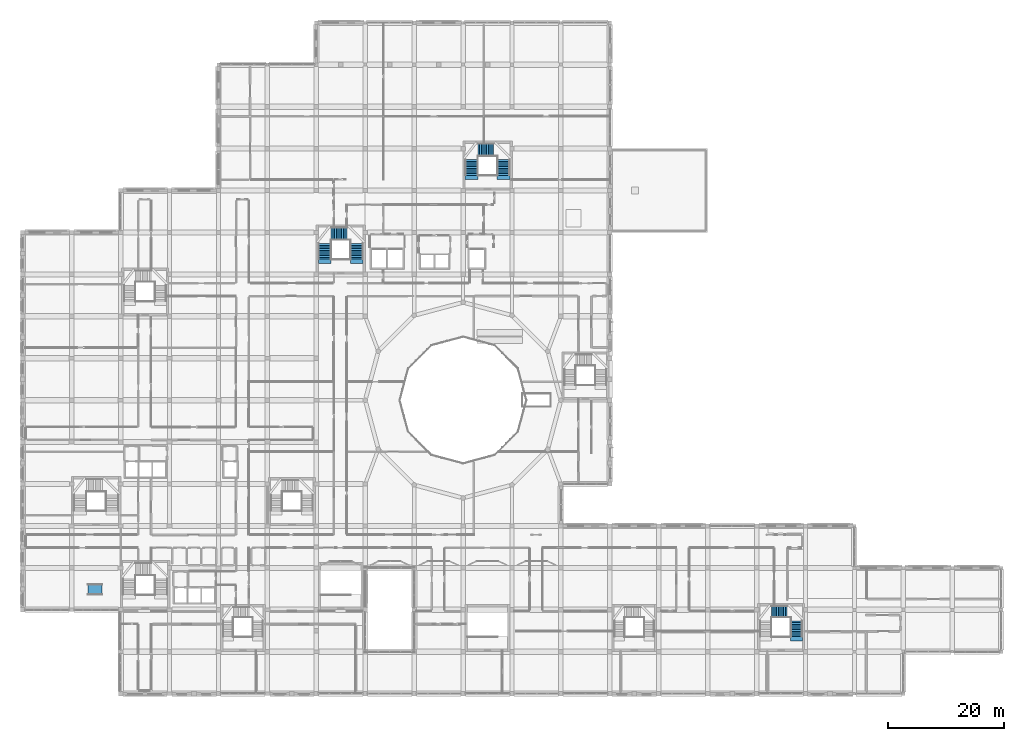
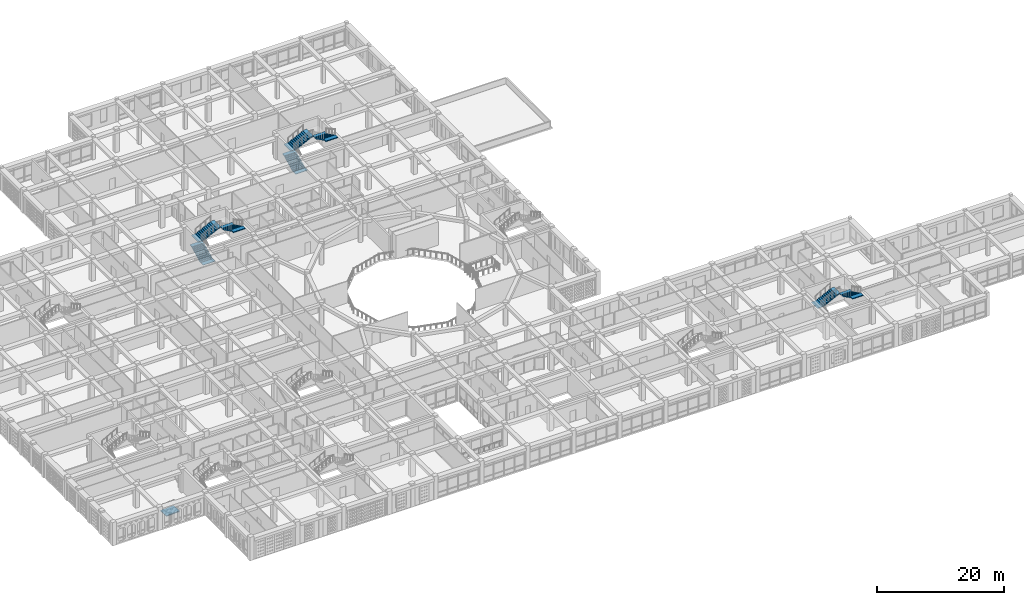
# One storey, part 89 of 121: 8 stair flights, 1 ramp flight, 4 elements without a shape of their own.
"""IFC4 building model written with IfcOpenShell, lengths in metres."""

from ifc_helpers import new_model, si_unit, derived_unit, direction, frame, origin, place, context, subcontext, project, spatial, polyline, outline, extrude, material, layer, layer_set, type_object, element, aggregate, save


model = new_model("IFC4")

# Units and contexts
model_context = context("Model", 3, precision=1e-05, world=origin(), true_north=direction((0.0, 1.0)))
body_context = subcontext(model_context, "Body", "Model", "MODEL_VIEW")
ifc_project = project(units=[si_unit("LENGTHUNIT", "METRE"), si_unit("AREAUNIT", "SQUARE_METRE"), si_unit("VOLUMEUNIT", "CUBIC_METRE"), si_unit("PLANEANGLEUNIT", "RADIAN"), si_unit("MASSUNIT", "GRAM", prefix="KILO"), derived_unit("THERMALTRANSMITTANCEUNIT", [(si_unit("POWERUNIT", "WATT"), 1), (si_unit("LENGTHUNIT", "METRE"), -2), (si_unit("THERMODYNAMICTEMPERATUREUNIT", "KELVIN"), -1)])], contexts=[model_context])

# Site, building, storey
site_placement = place(None, origin())
site = spatial("IfcSite", under=ifc_project, at=site_placement, CompositionType="ELEMENT")
building_placement = place(site_placement, origin())
building = spatial("IfcBuilding", under=site, at=building_placement, Name="Veybourne Emporium", CompositionType="ELEMENT")
storey_placement = place(building_placement, frame((0.0, 0.0, 5.39990234375)))
storey = spatial("IfcBuildingStorey", under=building, at=storey_placement, Name="L01", CompositionType="ELEMENT", Elevation=5.39990234375)

# Stair, stair flights
ifc_material = material(Name="Concrete C32/40", Category="concrete")
stair_type_1 = type_object("IfcStairType", Name="Stair_ST-06-R30", PredefinedType="TWO_QUARTER_TURN_STAIR", material=ifc_material)
stair_1_placement = place(storey_placement, origin())
stair_1 = element("IfcStair", 1, at=stair_1_placement, inside=storey, type_object=stair_type_1, Name="L01 stair ST-06", PredefinedType="TWO_QUARTER_TURN_STAIR")
stair_flight_type_1 = type_object("IfcStairFlightType", Name="Flight_FL-2000-R10", PredefinedType="STRAIGHT", material=ifc_material)
stair_flight_1_placement = place(storey_placement, frame((128.550048828125, 14.10009765625, 1.5), z_axis=(0.0, 0.0, 1.0), x_axis=(1.0, 0.0, 0.0)))
stair_flight_1 = element("IfcStairFlight", 2, at=stair_flight_1_placement, type_object=stair_flight_type_1, Name="ST-06-R30 flight 2", NumberOfRisers=10, NumberOfTreads=9, PredefinedType="STRAIGHT", RiserHeight=0.15, TreadLength=0.3, context=body_context, shape_type="SweptSolid", body=[
    extrude(outline(polyline([(-0.75, 0.0), (-0.75, 0.080078125), (-0.375, 0.080078125), (0.0, 0.080078125), (0.0, 0.14990234375), (0.300048828125, 0.14990234375), (0.300048828125, 0.300048828125), (0.60009765625, 0.300048828125), (0.60009765625, 0.449951171875), (0.89990234375, 0.449951171875), (0.89990234375, 0.60009765625), (1.199951171875, 0.60009765625), (1.199951171875, 0.75), (1.5, 0.75), (1.5, 0.89990234375), (1.800048828125, 0.89990234375), (1.800048828125, 1.050048828125), (2.10009765625, 1.050048828125), (2.10009765625, 1.199951171875), (2.39990234375, 1.199951171875), (2.39990234375, 1.35009765625), (2.699951171875, 1.35009765625), (2.699951171875, 1.5), (3.074951171875, 1.5), (3.449951171875, 1.5), (3.449951171875, 1.340087890625), (3.074951171875, 1.340087890625), (2.699951171875, 1.171142578125), (0.357666015625, 0.0), (-0.75, 0.0)])), frame((0.0, 1.0, 0.0), z_axis=(0.0, -1.0, 0.0), x_axis=(1.0, 0.0, 0.0)), (0.0, 0.0, 1.0), 2.0),
])
stair_flight_2_placement = place(storey_placement, frame((132.85009765625, 12.5, 3.0), z_axis=(0.0, 0.0, 1.0), x_axis=(0.0, -1.0, 0.0)))
stair_flight_2 = element("IfcStairFlight", 3, at=stair_flight_2_placement, type_object=stair_flight_type_1, Name="ST-06-R30 flight 3", NumberOfRisers=10, NumberOfTreads=9, PredefinedType="STRAIGHT", RiserHeight=0.15, TreadLength=0.3, context=body_context, shape_type="SweptSolid", body=[
    extrude(outline(polyline([(-0.75, 0.0), (-0.75, 0.080078125), (-0.375, 0.080078125), (0.0, 0.080078125), (0.0, 0.14990234375), (0.300048828125, 0.14990234375), (0.300048828125, 0.300048828125), (0.60009765625, 0.300048828125), (0.60009765625, 0.449951171875), (0.89990234375, 0.449951171875), (0.89990234375, 0.60009765625), (1.199951171875, 0.60009765625), (1.199951171875, 0.75), (1.5, 0.75), (1.5, 0.89990234375), (1.800048828125, 0.89990234375), (1.800048828125, 1.050048828125), (2.10009765625, 1.050048828125), (2.10009765625, 1.199951171875), (2.39990234375, 1.199951171875), (2.39990234375, 1.35009765625), (2.699951171875, 1.35009765625), (2.699951171875, 1.5), (3.074951171875, 1.5), (3.449951171875, 1.5), (3.449951171875, 1.340087890625), (3.074951171875, 1.340087890625), (2.699951171875, 1.171142578125), (0.357666015625, 0.0), (-0.75, 0.0)])), frame((0.0, 1.0, 0.0), z_axis=(0.0, -1.0, 0.0), x_axis=(1.0, 0.0, 0.0)), (0.0, 0.0, 1.0), 2.0),
])
aggregate(stair_1, [stair_flight_1, stair_flight_2])

stair_type_2 = type_object("IfcStairType", Name="Stair_ST-03-R30", PredefinedType="TWO_QUARTER_TURN_STAIR", material=ifc_material)
stair_2_placement = place(storey_placement, origin())
stair_2 = element("IfcStair", 4, at=stair_2_placement, inside=storey, type_object=stair_type_2, Name="L01 stair ST-03", PredefinedType="TWO_QUARTER_TURN_STAIR")
stair_flight_type_2 = type_object("IfcStairFlightType", Name="Flight_FL-2200-R10", PredefinedType="STRAIGHT", material=ifc_material)
stair_flight_3_placement = place(storey_placement, frame((51.85009765625, 74.60009765625, 0.0), z_axis=(0.0, 0.0, 1.0), x_axis=(0.0, 1.0, 0.0)))
stair_flight_3 = element("IfcStairFlight", 5, at=stair_flight_3_placement, type_object=stair_flight_type_2, Name="ST-03-R30 flight 1", NumberOfRisers=10, NumberOfTreads=9, PredefinedType="STRAIGHT", RiserHeight=0.15, TreadLength=0.3, context=body_context, shape_type="SweptSolid", body=[
    extrude(outline(polyline([(-0.75, 0.0), (-0.75, 0.080078125), (-0.375, 0.080078125), (0.0, 0.080078125), (0.0, 0.14990234375), (0.300048828125, 0.14990234375), (0.300048828125, 0.300048828125), (0.60009765625, 0.300048828125), (0.60009765625, 0.449951171875), (0.89990234375, 0.449951171875), (0.89990234375, 0.60009765625), (1.199951171875, 0.60009765625), (1.199951171875, 0.75), (1.5, 0.75), (1.5, 0.89990234375), (1.800048828125, 0.89990234375), (1.800048828125, 1.050048828125), (2.10009765625, 1.050048828125), (2.10009765625, 1.199951171875), (2.39990234375, 1.199951171875), (2.39990234375, 1.35009765625), (2.699951171875, 1.35009765625), (2.699951171875, 1.5), (3.074951171875, 1.5), (3.449951171875, 1.5), (3.449951171875, 1.340087890625), (3.074951171875, 1.340087890625), (2.699951171875, 1.171142578125), (0.357666015625, 0.0), (-0.75, 0.0)])), frame((0.0, 1.10009765625, 0.0), z_axis=(0.0, -1.0, 0.0), x_axis=(1.0, 0.0, 0.0)), (0.0, 0.0, 1.0), 2.199951171875),
])
stair_flight_4_placement = place(storey_placement, frame((52.949951171875, 79.0, 1.5), z_axis=(0.0, 0.0, 1.0), x_axis=(1.0, 0.0, 0.0)))
stair_flight_4 = element("IfcStairFlight", 6, at=stair_flight_4_placement, type_object=stair_flight_type_2, Name="ST-03-R30 flight 2", NumberOfRisers=10, NumberOfTreads=9, PredefinedType="STRAIGHT", RiserHeight=0.15, TreadLength=0.3, context=body_context, shape_type="SweptSolid", body=[
    extrude(outline(polyline([(-0.75, 0.0), (-0.75, 0.080078125), (-0.375, 0.080078125), (0.0, 0.080078125), (0.0, 0.14990234375), (0.300048828125, 0.14990234375), (0.300048828125, 0.300048828125), (0.60009765625, 0.300048828125), (0.60009765625, 0.449951171875), (0.89990234375, 0.449951171875), (0.89990234375, 0.60009765625), (1.199951171875, 0.60009765625), (1.199951171875, 0.75), (1.5, 0.75), (1.5, 0.89990234375), (1.800048828125, 0.89990234375), (1.800048828125, 1.050048828125), (2.10009765625, 1.050048828125), (2.10009765625, 1.199951171875), (2.39990234375, 1.199951171875), (2.39990234375, 1.35009765625), (2.699951171875, 1.35009765625), (2.699951171875, 1.5), (3.074951171875, 1.5), (3.449951171875, 1.5), (3.449951171875, 1.340087890625), (3.074951171875, 1.340087890625), (2.699951171875, 1.171142578125), (0.357666015625, 0.0), (-0.75, 0.0)])), frame((0.0, 1.10009765625, 0.0), z_axis=(0.0, -1.0, 0.0), x_axis=(1.0, 0.0, 0.0)), (0.0, 0.0, 1.0), 2.199951171875),
])
stair_flight_5_placement = place(storey_placement, frame((57.35009765625, 77.300048828125, 3.0), z_axis=(0.0, 0.0, 1.0), x_axis=(0.0, -1.0, 0.0)))
stair_flight_5 = element("IfcStairFlight", 7, at=stair_flight_5_placement, type_object=stair_flight_type_2, Name="ST-03-R30 flight 3", NumberOfRisers=10, NumberOfTreads=9, PredefinedType="STRAIGHT", RiserHeight=0.15, TreadLength=0.3, context=body_context, shape_type="SweptSolid", body=[
    extrude(outline(polyline([(-0.75, 0.0), (-0.75, 0.080078125), (-0.375, 0.080078125), (0.0, 0.080078125), (0.0, 0.14990234375), (0.300048828125, 0.14990234375), (0.300048828125, 0.300048828125), (0.60009765625, 0.300048828125), (0.60009765625, 0.449951171875), (0.89990234375, 0.449951171875), (0.89990234375, 0.60009765625), (1.199951171875, 0.60009765625), (1.199951171875, 0.75), (1.5, 0.75), (1.5, 0.89990234375), (1.800048828125, 0.89990234375), (1.800048828125, 1.050048828125), (2.10009765625, 1.050048828125), (2.10009765625, 1.199951171875), (2.39990234375, 1.199951171875), (2.39990234375, 1.35009765625), (2.699951171875, 1.35009765625), (2.699951171875, 1.5), (3.074951171875, 1.5), (3.449951171875, 1.5), (3.449951171875, 1.340087890625), (3.074951171875, 1.340087890625), (2.699951171875, 1.171142578125), (0.357666015625, 0.0), (-0.75, 0.0)])), frame((0.0, 1.10009765625, 0.0), z_axis=(0.0, -1.0, 0.0), x_axis=(1.0, 0.0, 0.0)), (0.0, 0.0, 1.0), 2.199951171875),
])
aggregate(stair_2, [stair_flight_3, stair_flight_4, stair_flight_5])

stair_type_3 = type_object("IfcStairType", Name="Stair_ST-04-R30", PredefinedType="TWO_QUARTER_TURN_STAIR", material=ifc_material)
stair_3_placement = place(storey_placement, origin())
stair_3 = element("IfcStair", 8, at=stair_3_placement, inside=storey, type_object=stair_type_3, Name="L01 stair ST-04", PredefinedType="TWO_QUARTER_TURN_STAIR")
stair_flight_6_placement = place(storey_placement, frame((77.050048828125, 89.0, 0.0), z_axis=(0.0, 0.0, 1.0), x_axis=(0.0, 1.0, 0.0)))
stair_flight_6 = element("IfcStairFlight", 9, at=stair_flight_6_placement, type_object=stair_flight_type_2, Name="ST-04-R30 flight 1", NumberOfRisers=10, NumberOfTreads=9, PredefinedType="STRAIGHT", RiserHeight=0.15, TreadLength=0.3, context=body_context, shape_type="SweptSolid", body=[
    extrude(outline(polyline([(-0.75, 0.0), (-0.75, 0.080078125), (-0.375, 0.080078125), (0.0, 0.080078125), (0.0, 0.14990234375), (0.300048828125, 0.14990234375), (0.300048828125, 0.300048828125), (0.60009765625, 0.300048828125), (0.60009765625, 0.449951171875), (0.89990234375, 0.449951171875), (0.89990234375, 0.60009765625), (1.199951171875, 0.60009765625), (1.199951171875, 0.75), (1.5, 0.75), (1.5, 0.89990234375), (1.800048828125, 0.89990234375), (1.800048828125, 1.050048828125), (2.10009765625, 1.050048828125), (2.10009765625, 1.199951171875), (2.39990234375, 1.199951171875), (2.39990234375, 1.35009765625), (2.699951171875, 1.35009765625), (2.699951171875, 1.5), (3.074951171875, 1.5), (3.449951171875, 1.5), (3.449951171875, 1.340087890625), (3.074951171875, 1.340087890625), (2.699951171875, 1.171142578125), (0.357666015625, 0.0), (-0.75, 0.0)])), frame((0.0, 1.10009765625, 0.0), z_axis=(0.0, -1.0, 0.0), x_axis=(1.0, 0.0, 0.0)), (0.0, 0.0, 1.0), 2.199951171875),
])
stair_flight_7_placement = place(storey_placement, frame((78.14990234375, 93.39990234375, 1.5), z_axis=(0.0, 0.0, 1.0), x_axis=(1.0, 0.0, 0.0)))
stair_flight_7 = element("IfcStairFlight", 10, at=stair_flight_7_placement, type_object=stair_flight_type_2, Name="ST-04-R30 flight 2", NumberOfRisers=10, NumberOfTreads=9, PredefinedType="STRAIGHT", RiserHeight=0.15, TreadLength=0.3, context=body_context, shape_type="SweptSolid", body=[
    extrude(outline(polyline([(-0.75, 0.0), (-0.75, 0.080078125), (-0.375, 0.080078125), (0.0, 0.080078125), (0.0, 0.14990234375), (0.300048828125, 0.14990234375), (0.300048828125, 0.300048828125), (0.60009765625, 0.300048828125), (0.60009765625, 0.449951171875), (0.89990234375, 0.449951171875), (0.89990234375, 0.60009765625), (1.199951171875, 0.60009765625), (1.199951171875, 0.75), (1.5, 0.75), (1.5, 0.89990234375), (1.800048828125, 0.89990234375), (1.800048828125, 1.050048828125), (2.10009765625, 1.050048828125), (2.10009765625, 1.199951171875), (2.39990234375, 1.199951171875), (2.39990234375, 1.35009765625), (2.699951171875, 1.35009765625), (2.699951171875, 1.5), (3.074951171875, 1.5), (3.449951171875, 1.5), (3.449951171875, 1.340087890625), (3.074951171875, 1.340087890625), (2.699951171875, 1.171142578125), (0.357666015625, 0.0), (-0.75, 0.0)])), frame((0.0, 1.10009765625, 0.0), z_axis=(0.0, -1.0, 0.0), x_axis=(1.0, 0.0, 0.0)), (0.0, 0.0, 1.0), 2.199951171875),
])
stair_flight_8_placement = place(storey_placement, frame((82.550048828125, 91.699951171875, 3.0), z_axis=(0.0, 0.0, 1.0), x_axis=(0.0, -1.0, 0.0)))
stair_flight_8 = element("IfcStairFlight", 11, at=stair_flight_8_placement, type_object=stair_flight_type_2, Name="ST-04-R30 flight 3", NumberOfRisers=10, NumberOfTreads=9, PredefinedType="STRAIGHT", RiserHeight=0.15, TreadLength=0.3, context=body_context, shape_type="SweptSolid", body=[
    extrude(outline(polyline([(-0.75, 0.0), (-0.75, 0.080078125), (-0.375, 0.080078125), (0.0, 0.080078125), (0.0, 0.14990234375), (0.300048828125, 0.14990234375), (0.300048828125, 0.300048828125), (0.60009765625, 0.300048828125), (0.60009765625, 0.449951171875), (0.89990234375, 0.449951171875), (0.89990234375, 0.60009765625), (1.199951171875, 0.60009765625), (1.199951171875, 0.75), (1.5, 0.75), (1.5, 0.89990234375), (1.800048828125, 0.89990234375), (1.800048828125, 1.050048828125), (2.10009765625, 1.050048828125), (2.10009765625, 1.199951171875), (2.39990234375, 1.199951171875), (2.39990234375, 1.35009765625), (2.699951171875, 1.35009765625), (2.699951171875, 1.5), (3.074951171875, 1.5), (3.449951171875, 1.5), (3.449951171875, 1.340087890625), (3.074951171875, 1.340087890625), (2.699951171875, 1.171142578125), (0.357666015625, 0.0), (-0.75, 0.0)])), frame((0.0, 1.10009765625, 0.0), z_axis=(0.0, -1.0, 0.0), x_axis=(1.0, 0.0, 0.0)), (0.0, 0.0, 1.0), 2.199951171875),
])
aggregate(stair_3, [stair_flight_6, stair_flight_7, stair_flight_8])

# Ramp, ramp flight
ramp_type = type_object("IfcRampType", Name="Ramp_RMP-01", PredefinedType="STRAIGHT_RUN_RAMP", material=ifc_material)
ramp_placement = place(storey_placement, origin())
ramp = element("IfcRamp", 12, at=ramp_placement, inside=storey, type_object=ramp_type, Name="Step-free threshold transition ramp RMP-04", PredefinedType="STRAIGHT_RUN_RAMP")
ifc_layer = layer(ifc_material, 0.179931640625)
ifc_layer_set = layer_set([ifc_layer], Name="Concrete C32/40")
ramp_flight_type = type_object("IfcRampFlightType", Name="RampFlight_RFL-01", PredefinedType="STRAIGHT", material=ifc_layer_set)
ramp_flight_placement = place(storey_placement, frame((11.199951171875, 17.0, 0.0), z_axis=(-0.049983219245, 0.0, 0.998750057719), x_axis=(0.998750057719, 0.0, 0.049983219245)))
ramp_flight = element("IfcRampFlight", 13, at=ramp_flight_placement, type_object=ramp_flight_type, Name="Ramp RMP-04 solid flight", PredefinedType="STRAIGHT", context=body_context, shape_type="SweptSolid", body=[
    extrude(outline(polyline([(0.0, 0.0), (2.4031502835217324, 0.0), (2.4031502835217324, 1.800048828125), (0.0, 1.800048828125), (0.0, 0.0)])), origin(), (0.0, 0.0, -1.0), 0.179931640625),
])
aggregate(ramp, [ramp_flight])

save(model, "model.ifc")
